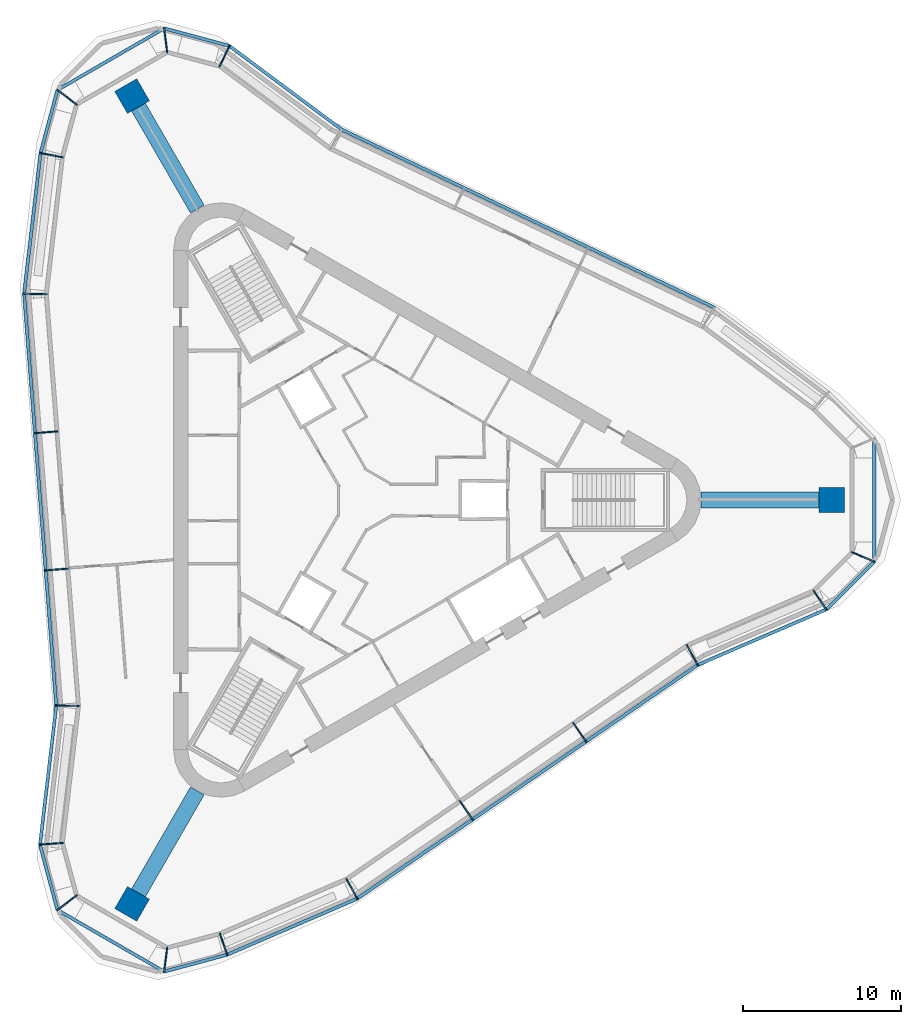
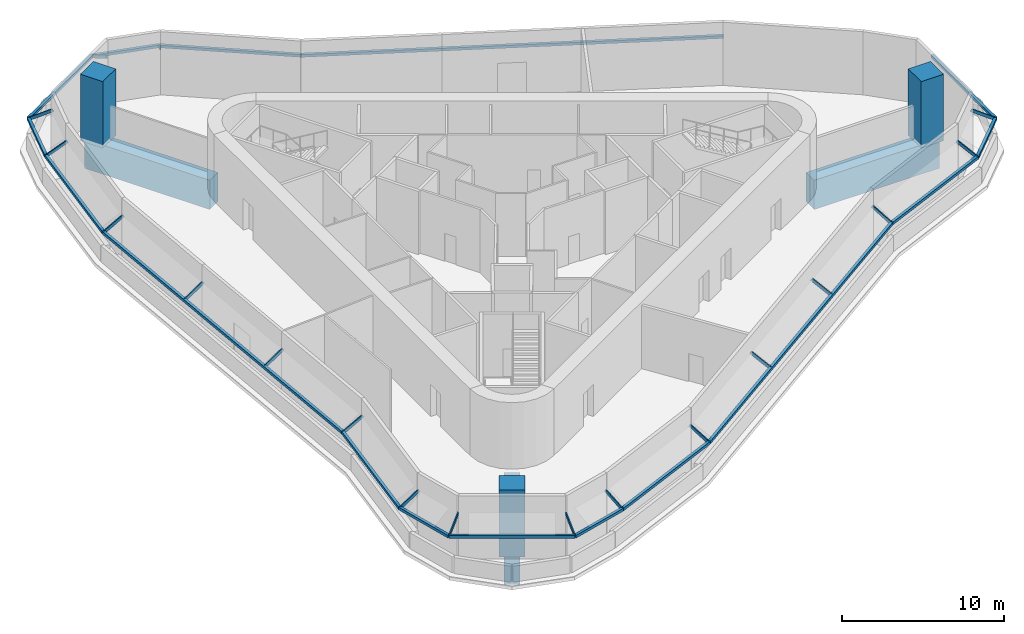
# One storey, part 1 of 8: 34 members, 3 beams, 3 columns, 1 element without a shape of its own.
"""IFC4 building model written with IfcOpenShell, lengths in metres."""

from ifc_helpers import new_model, si_unit, direction, frame, origin, origin_2d, place, context, subcontext, project, spatial, rectangle, extrude, material, material_profile, profile_set, type_object, element, aggregate, save


model = new_model("IFC4")

# Units and contexts
model_context = context("Model", 3, precision=1e-05, world=origin(), true_north=direction((0.0, 1.0)))
body_context = subcontext(model_context, "Body", "Model", "MODEL_VIEW")
ifc_project = project(units=[si_unit("LENGTHUNIT", "METRE"), si_unit("AREAUNIT", "SQUARE_METRE"), si_unit("VOLUMEUNIT", "CUBIC_METRE"), si_unit("PLANEANGLEUNIT", "RADIAN"), si_unit("MASSUNIT", "GRAM", prefix="KILO")], contexts=[model_context])

# Site, building, storey
site_placement = place(None, origin())
site = spatial("IfcSite", under=ifc_project, at=site_placement, CompositionType="ELEMENT")
building_placement = place(site_placement, origin())
building = spatial("IfcBuilding", under=site, at=building_placement, Name="Tanit Gate Tower", CompositionType="ELEMENT")
storey_placement = place(building_placement, frame((0.0, 0.0, 410.300048828125)))
storey = spatial("IfcBuildingStorey", under=building, at=storey_placement, Name="L93", CompositionType="ELEMENT", Elevation=410.300048828125)

# Columns
ifc_material_1 = material(Name="Concrete C40/50", Category="concrete")
ifc_material_profile_1 = material_profile(ifc_material_1, rectangle(XDim=1.60009765625, YDim=1.60009765625, at=origin_2d()), Name="RC 1600x1600")
ifc_profile_set_1 = profile_set([ifc_material_profile_1], Name="Concrete C40/50")
column_type = type_object("IfcColumnType", Name="MEGA COLUMN 1600x1600 C40/50", PredefinedType="COLUMN", material=ifc_profile_set_1)
for number, where, z_axis, x_axis, name in (
    (1, (29.43603515625, 0.0, -0.25), (0.0, 0.0, 1.0), (1.0, 0.0, 0.0), "MEGA COLUMN"),
    (2, (-14.718017578125, 25.492431640625, -0.25), (0.0, 0.0, 1.0), (-0.5, 0.866025403784, 0.0), "MEGA COLUMN"),
    (3, (-14.718017578125, -25.492431640625, -0.25), (0.0, 0.0, 1.0), (-0.5, -0.866025403784, 0.0), "MEGA COLUMN"),
):
    element("IfcColumn", number, at=place(storey_placement, frame(where, z_axis=z_axis, x_axis=x_axis)), inside=storey, type_object=column_type, Name=name, PredefinedType="COLUMN", context=body_context, shape_type="SweptSolid", body=[
        extrude(rectangle(XDim=1.60009765625, YDim=1.60009765625, at=origin_2d()), origin(), (0.0, 0.0, 1.0), 5.0),
    ])

# Curtain wall, members
ifc_material_2 = material(Name="Aluminium bronze anodised and glass", Category="aluminium")
curtain_wall_type = type_object("IfcCurtainWallType", Name="Curtain wall crown roof", PredefinedType="NOTDEFINED", material=ifc_material_2)
curtain_wall_placement = place(storey_placement, origin())
curtain_wall = element("IfcCurtainWall", 4, at=curtain_wall_placement, inside=storey, type_object=curtain_wall_type, Name="Glass roof L93", PredefinedType="NOTDEFINED")
ifc_material_3 = material(Name="Aluminium bronze anodised", Category="aluminium")
ifc_material_profile_2 = material_profile(ifc_material_3, rectangle(XDim=0.080078125, YDim=0.219970703125, at=origin_2d()), Name="80x220 bronze rafter")
ifc_profile_set_2 = profile_set([ifc_material_profile_2], Name="Aluminium bronze anodised")
member_type_1 = type_object("IfcMemberType", Name="Mullion 80x220 crown roof", PredefinedType="MULLION", material=ifc_profile_set_2)
member_1_placement = place(storey_placement, frame((-9.189453125, 27.374267578125, 3.408203125), z_axis=(0.379155528934, 0.78289285051, -0.493274639018), x_axis=(-0.900007569344, 0.435874265268, 0.0)))
member_1 = element("IfcMember", 5, at=member_1_placement, type_object=member_type_1, Name="Roof rafter L93 NE3.2", PredefinedType="MULLION", context=body_context, shape_type="SweptSolid", body=[
    extrude(rectangle(XDim=0.080078125, YDim=0.219970703125, at=origin_2d()), origin(), (0.0, 0.0, 1.0), 1.638671875),
])
member_2_placement = place(storey_placement, frame((-12.502197265625, 28.261962890625, 3.408203125), z_axis=(-0.115139393056, 0.874775092427, -0.470650037541), x_axis=(-0.991448811127, -0.13049618736, 0.0)))
member_2 = element("IfcMember", 6, at=member_2_placement, type_object=member_type_1, Name="Roof rafter L93 NW.arc1.2", PredefinedType="MULLION", context=body_context, shape_type="SweptSolid", body=[
    extrude(rectangle(XDim=0.080078125, YDim=0.219970703125, at=origin_2d()), origin(), (0.0, 0.0, 1.0), 1.717529296875),
])
member_3_placement = place(storey_placement, frame((-18.224365234375, 24.9580078125, 3.408203125), z_axis=(-0.700014767331, 0.537128082384, -0.470608912616), x_axis=(-0.60875276862, -0.793359985566, 0.0)))
member_3 = element("IfcMember", 7, at=member_3_placement, type_object=member_type_1, Name="Roof rafter L93 NW.arc2.2", PredefinedType="MULLION", context=body_context, shape_type="SweptSolid", body=[
    extrude(rectangle(XDim=0.080078125, YDim=0.219970703125, at=origin_2d()), origin(), (0.0, 0.0, 1.0), 1.7177734375),
])
member_4_placement = place(storey_placement, frame((-19.11572265625, 21.631591796875, 3.408203125), z_axis=(-0.851124919905, 0.162930058158, -0.499039243812), x_axis=(-0.188015155556, -0.98216612713, 0.0)))
member_4 = element("IfcMember", 8, at=member_4_placement, type_object=member_type_1, Name="Roof rafter L93 NW.arc3.2", PredefinedType="MULLION", context=body_context, shape_type="SweptSolid", body=[
    extrude(rectangle(XDim=0.080078125, YDim=0.219970703125, at=origin_2d()), origin(), (0.0, 0.0, 1.0), 1.619873046875),
])
member_5_placement = place(storey_placement, frame((-20.1279296875, 12.990234375, 3.408203125), z_axis=(-0.866850363127, 0.016704928873, -0.498288463943), x_axis=(-0.019267256073, -0.999814369192, 0.0)))
member_5 = element("IfcMember", 9, at=member_5_placement, type_object=member_type_1, Name="Roof rafter L93 W1.2", PredefinedType="MULLION", context=body_context, shape_type="SweptSolid", body=[
    extrude(rectangle(XDim=0.080078125, YDim=0.219970703125, at=origin_2d()), origin(), (0.0, 0.0, 1.0), 1.622314453125),
])
member_6_placement = place(storey_placement, frame((-19.45166015625, 4.32861328125, 3.408203125), z_axis=(-0.863376327711, -0.0675055481, -0.500024317133), x_axis=(0.077949956455, -0.996957273051, 0.0)))
member_6 = element("IfcMember", 10, at=member_6_placement, type_object=member_type_1, Name="Roof rafter L93 W2.2", PredefinedType="MULLION", context=body_context, shape_type="SweptSolid", body=[
    extrude(rectangle(XDim=0.080078125, YDim=0.219970703125, at=origin_2d()), origin(), (0.0, 0.0, 1.0), 1.61669921875),
])
member_7_placement = place(storey_placement, frame((-18.775390625, -4.333251953125, 3.408203125), z_axis=(-0.863385119801, -0.067355214873, -0.500029409071), x_axis=(0.077776627829, -0.996970810086, 0.0)))
member_7 = element("IfcMember", 11, at=member_7_placement, type_object=member_type_1, Name="Roof rafter L93 W2.3", PredefinedType="MULLION", context=body_context, shape_type="SweptSolid", body=[
    extrude(rectangle(XDim=0.080078125, YDim=0.219970703125, at=origin_2d()), origin(), (0.0, 0.0, 1.0), 1.61669921875),
])
member_8_placement = place(storey_placement, frame((-18.09912109375, -12.994873046875, 3.408203125), z_axis=(-0.866850363127, 0.016704928873, -0.498288463943), x_axis=(-0.019267256073, -0.999814369192, 0.0)))
member_8 = element("IfcMember", 12, at=member_8_placement, type_object=member_type_1, Name="Roof rafter L93 W2.4", PredefinedType="MULLION", context=body_context, shape_type="SweptSolid", body=[
    extrude(rectangle(XDim=0.080078125, YDim=0.219970703125, at=origin_2d()), origin(), (0.0, 0.0, 1.0), 1.622314453125),
])
member_9_placement = place(storey_placement, frame((-19.112060546875, -21.645263671875, 3.408203125), z_axis=(-0.867561420463, -0.063171224846, -0.493301711), x_axis=(0.072622433472, -0.997359504971, 0.0)))
member_9 = element("IfcMember", 13, at=member_9_placement, type_object=member_type_1, Name="Roof rafter L93 W3.2", PredefinedType="MULLION", context=body_context, shape_type="SweptSolid", body=[
    extrude(rectangle(XDim=0.080078125, YDim=0.219970703125, at=origin_2d()), origin(), (0.0, 0.0, 1.0), 1.638671875),
])
member_10_placement = place(storey_placement, frame((-18.224365234375, -24.9580078125, 3.408203125), z_axis=(-0.700014767331, -0.537128082384, -0.470608912616), x_axis=(0.60875276862, -0.793359985566, 0.0)))
member_10 = element("IfcMember", 14, at=member_10_placement, type_object=member_type_1, Name="Roof rafter L93 SW.arc1.2", PredefinedType="MULLION", context=body_context, shape_type="SweptSolid", body=[
    extrude(rectangle(XDim=0.080078125, YDim=0.219970703125, at=origin_2d()), origin(), (0.0, 0.0, 1.0), 1.7177734375),
])
member_11_placement = place(storey_placement, frame((-12.502197265625, -28.261962890625, 3.408203125), z_axis=(-0.115139393056, -0.874775092427, -0.470650037541), x_axis=(0.991448811127, -0.13049618736, 0.0)))
member_11 = element("IfcMember", 15, at=member_11_placement, type_object=member_type_1, Name="Roof rafter L93 SW.arc2.2", PredefinedType="MULLION", context=body_context, shape_type="SweptSolid", body=[
    extrude(rectangle(XDim=0.080078125, YDim=0.219970703125, at=origin_2d()), origin(), (0.0, 0.0, 1.0), 1.717529296875),
])
member_12_placement = place(storey_placement, frame((-9.175537109375, -27.37060546875, 3.408203125), z_axis=(0.284413741675, -0.8185750032, -0.499042871588), x_axis=(0.94460702546, 0.328203545764, 0.0)))
member_12 = element("IfcMember", 16, at=member_12_placement, type_object=member_type_1, Name="Roof rafter L93 SW.arc3.2", PredefinedType="MULLION", context=body_context, shape_type="SweptSolid", body=[
    extrude(rectangle(XDim=0.080078125, YDim=0.219970703125, at=origin_2d()), origin(), (0.0, 0.0, 1.0), 1.619873046875),
])
member_13_placement = place(storey_placement, frame((-1.18603515625, -23.92626953125, 3.408203125), z_axis=(0.418917146895, -0.759136855634, -0.498216477503), x_axis=(0.87553718172, 0.483150746067, 0.0)))
member_13 = element("IfcMember", 17, at=member_13_placement, type_object=member_type_1, Name="Roof rafter L93 SE1.2", PredefinedType="MULLION", context=body_context, shape_type="SweptSolid", body=[
    extrude(rectangle(XDim=0.080078125, YDim=0.219970703125, at=origin_2d()), origin(), (0.0, 0.0, 1.0), 1.62255859375),
])
member_14_placement = place(storey_placement, frame((5.977294921875, -19.009765625, 3.408203125), z_axis=(0.490056434696, -0.714017511015, -0.500023684216), x_axis=(0.824489423049, 0.56587736417, 0.0)))
member_14 = element("IfcMember", 18, at=member_14_placement, type_object=member_type_1, Name="Roof rafter L93 SE2.2", PredefinedType="MULLION", context=body_context, shape_type="SweptSolid", body=[
    extrude(rectangle(XDim=0.080078125, YDim=0.219970703125, at=origin_2d()), origin(), (0.0, 0.0, 1.0), 1.61669921875),
])
member_15_placement = place(storey_placement, frame((13.140380859375, -14.09326171875, 3.408203125), z_axis=(0.490056434696, -0.714017511015, -0.500023684216), x_axis=(0.824489423049, 0.56587736417, 0.0)))
member_15 = element("IfcMember", 19, at=member_15_placement, type_object=member_type_1, Name="Roof rafter L93 SE2.3", PredefinedType="MULLION", context=body_context, shape_type="SweptSolid", body=[
    extrude(rectangle(XDim=0.080078125, YDim=0.219970703125, at=origin_2d()), origin(), (0.0, 0.0, 1.0), 1.61669921875),
])
member_16_placement = place(storey_placement, frame((20.303466796875, -9.1767578125, 3.408203125), z_axis=(0.418917146895, -0.759136855634, -0.498216477503), x_axis=(0.87553718172, 0.483150746067, 0.0)))
member_16 = element("IfcMember", 20, at=member_16_placement, type_object=member_type_1, Name="Roof rafter L93 SE2.4", PredefinedType="MULLION", context=body_context, shape_type="SweptSolid", body=[
    extrude(rectangle(XDim=0.080078125, YDim=0.219970703125, at=origin_2d()), origin(), (0.0, 0.0, 1.0), 1.62255859375),
])
member_17_placement = place(storey_placement, frame((28.301513671875, -5.72900390625, 3.408203125), z_axis=(0.488402754437, -0.719790636573, -0.49331956069), x_axis=(0.827489985755, 0.561480474706, 0.0)))
member_17 = element("IfcMember", 21, at=member_17_placement, type_object=member_type_1, Name="Roof rafter L93 SE3.2", PredefinedType="MULLION", context=body_context, shape_type="SweptSolid", body=[
    extrude(rectangle(XDim=0.080078125, YDim=0.219970703125, at=origin_2d()), origin(), (0.0, 0.0, 1.0), 1.638671875),
])
member_18_placement = place(storey_placement, frame((30.7265625, -3.3037109375, 3.408203125), z_axis=(0.815103523011, -0.33775479084, -0.470667555754), x_axis=(0.382807118554, 0.923828290314, 0.0)))
member_18 = element("IfcMember", 22, at=member_18_placement, type_object=member_type_1, Name="Roof rafter L93 E.arc1.2", PredefinedType="MULLION", context=body_context, shape_type="SweptSolid", body=[
    extrude(rectangle(XDim=0.080078125, YDim=0.219970703125, at=origin_2d()), origin(), (0.0, 0.0, 1.0), 1.717529296875),
])

# Beams
ifc_material_4 = material(Name="Concrete C60/75", Category="concrete")
ifc_material_profile_3 = material_profile(ifc_material_4, rectangle(XDim=1.0, YDim=2.199951171875, at=origin_2d()), Name="RC 1000x2200")
ifc_profile_set_3 = profile_set([ifc_material_profile_3], Name="Concrete C60/75")
beam_type = type_object("IfcBeamType", Name="TRANSFER GIRDER 1000x2200 C60/75", PredefinedType="USERDEFINED", material=ifc_profile_set_3)
for number, where, z_axis, x_axis, name in (
    (23, (-15.0478515625, -26.063720703125, -1.35009765625), (0.499983042864, 0.86603519377, 0.0), (-0.86603519377, 0.499983042864, 0.0), "TRANSFER GIRDER"),
    (24, (30.095703125, 0.0, -1.35009765625), (-1.0, 0.0, 0.0), (0.0, -1.0, 0.0), "TRANSFER GIRDER"),
    (25, (-15.0478515625, 26.063720703125, -1.35009765625), (0.499983042864, -0.86603519377, 0.0), (0.86603519377, 0.499983042864, 0.0), "TRANSFER GIRDER"),
):
    element("IfcBeam", number, at=place(storey_placement, frame(where, z_axis=z_axis, x_axis=x_axis)), inside=storey, type_object=beam_type, Name=name, ObjectType="GIRDER", PredefinedType="USERDEFINED", context=body_context, shape_type="SweptSolid", body=[
        extrude(rectangle(XDim=1.0, YDim=2.199951171875, at=origin_2d()), origin(), (0.0, 0.0, 1.0), 8.893798828125),
    ])

# Member
ifc_material_5 = material(Name="Aluminium bronze anodised", Category="aluminium")
ifc_material_profile_4 = material_profile(ifc_material_5, rectangle(XDim=0.199951171875, YDim=0.199951171875, at=origin_2d()), Name="200x200 bronze transom")
ifc_profile_set_4 = profile_set([ifc_material_profile_4], Name="Aluminium bronze anodised")
member_type_2 = type_object("IfcMemberType", Name="Transom 200x200 crown roof", PredefinedType="USERDEFINED", material=ifc_profile_set_4)
member_19_placement = place(storey_placement, frame((22.04052734375, 12.140380859375, 2.626953125), z_axis=(-0.902315960767, 0.431075291503, 0.0), x_axis=(-0.431075291503, -0.902315960767, 0.0)))
member_19 = element("IfcMember", 26, at=member_19_placement, type_object=member_type_2, Name="Eave beam L93 NE2", ObjectType="TRANSOM", PredefinedType="USERDEFINED", context=body_context, shape_type="SweptSolid", body=[
    extrude(rectangle(XDim=0.199951171875, YDim=0.199951171875, at=origin_2d()), origin(), (0.0, 0.0, 1.0), 26.064208984375),
])

member_20_placement = place(storey_placement, frame((-1.4775390625, 23.3759765625, 2.626953125), z_axis=(-0.801987099243, 0.597341353539, 0.0), x_axis=(-0.597341353539, -0.801987099243, 0.0)))
member_20 = element("IfcMember", 27, at=member_20_placement, type_object=member_type_2, Name="Eave beam L93 NE3", ObjectType="TRANSOM", PredefinedType="USERDEFINED", context=body_context, shape_type="SweptSolid", body=[
    extrude(rectangle(XDim=0.199951171875, YDim=0.199951171875, at=origin_2d()), origin(), (0.0, 0.0, 1.0), 8.84130859375),
])

member_21_placement = place(storey_placement, frame((-8.568115234375, 28.6572265625, 2.626953125), z_axis=(-0.965922574881, 0.258831179218, 0.0), x_axis=(-0.258831179218, -0.965922574881, 0.0)))
member_21 = element("IfcMember", 28, at=member_21_placement, type_object=member_type_2, Name="Eave beam L93 NW.arc1", ObjectType="TRANSOM", PredefinedType="USERDEFINED", context=body_context, shape_type="SweptSolid", body=[
    extrude(rectangle(XDim=0.199951171875, YDim=0.199951171875, at=origin_2d()), origin(), (0.0, 0.0, 1.0), 4.277587890625),
])

member_22_placement = place(storey_placement, frame((-12.699951171875, 29.764404296875, 2.626953125), z_axis=(-0.866021755812, -0.500006318421, 0.0), x_axis=(0.500006318421, -0.866021755812, 0.0)))
member_22 = element("IfcMember", 29, at=member_22_placement, type_object=member_type_2, Name="Eave beam L93 NW.arc2", ObjectType="TRANSOM", PredefinedType="USERDEFINED", context=body_context, shape_type="SweptSolid", body=[
    extrude(rectangle(XDim=0.199951171875, YDim=0.199951171875, at=origin_2d()), origin(), (0.0, 0.0, 1.0), 7.767578125),
])

member_23_placement = place(storey_placement, frame((-19.4267578125, 25.880615234375, 2.626953125), z_axis=(-0.258778482124, -0.965936694194, 0.0), x_axis=(0.965936694194, -0.258778482124, 0.0)))
member_23 = element("IfcMember", 30, at=member_23_placement, type_object=member_type_2, Name="Eave beam L93 NW.arc3", ObjectType="TRANSOM", PredefinedType="USERDEFINED", context=body_context, shape_type="SweptSolid", body=[
    extrude(rectangle(XDim=0.199951171875, YDim=0.199951171875, at=origin_2d()), origin(), (0.0, 0.0, 1.0), 4.125732421875),
])

member_24_placement = place(storey_placement, frame((-20.494384765625, 21.8955078125, 2.626953125), z_axis=(-0.116323043878, -0.993211432407, 0.0), x_axis=(0.993211432407, -0.116323043878, 0.0)))
member_24 = element("IfcMember", 31, at=member_24_placement, type_object=member_type_2, Name="Eave beam L93 W1", ObjectType="TRANSOM", PredefinedType="USERDEFINED", context=body_context, shape_type="SweptSolid", body=[
    extrude(rectangle(XDim=0.199951171875, YDim=0.199951171875, at=origin_2d()), origin(), (0.0, 0.0, 1.0), 8.93896484375),
])

member_25_placement = place(storey_placement, frame((-21.5341796875, 13.017333984375, 2.626953125), z_axis=(0.077838934774, -0.996965947379, 0.0), x_axis=(0.996965947379, 0.077838934774, 0.0)))
member_25 = element("IfcMember", 32, at=member_25_placement, type_object=member_type_2, Name="Eave beam L93 W2", ObjectType="TRANSOM", PredefinedType="USERDEFINED", context=body_context, shape_type="SweptSolid", body=[
    extrude(rectangle(XDim=0.199951171875, YDim=0.199951171875, at=origin_2d()), origin(), (0.0, 0.0, 1.0), 26.064208984375),
])

member_26_placement = place(storey_placement, frame((-19.50537109375, -12.9677734375, 2.626953125), z_axis=(-0.116312501834, -0.993212667014, 0.0), x_axis=(0.993212667014, -0.116312501834, 0.0)))
member_26 = element("IfcMember", 33, at=member_26_placement, type_object=member_type_2, Name="Eave beam L93 W3", ObjectType="TRANSOM", PredefinedType="USERDEFINED", context=body_context, shape_type="SweptSolid", body=[
    extrude(rectangle(XDim=0.199951171875, YDim=0.199951171875, at=origin_2d()), origin(), (0.0, 0.0, 1.0), 8.841064453125),
])

member_27_placement = place(storey_placement, frame((-20.53369140625, -21.748779296875, 2.626953125), z_axis=(0.258777927508, -0.965936842777, 0.0), x_axis=(0.965936842777, 0.258777927508, 0.0)))
member_27 = element("IfcMember", 34, at=member_27_placement, type_object=member_type_2, Name="Eave beam L93 SW.arc1", ObjectType="TRANSOM", PredefinedType="USERDEFINED", context=body_context, shape_type="SweptSolid", body=[
    extrude(rectangle(XDim=0.199951171875, YDim=0.199951171875, at=origin_2d()), origin(), (0.0, 0.0, 1.0), 4.277587890625),
])

member_28_placement = place(storey_placement, frame((-19.4267578125, -25.880615234375, 2.626953125), z_axis=(0.866021755812, -0.500006318421, 0.0), x_axis=(0.500006318421, 0.866021755812, 0.0)))
member_28 = element("IfcMember", 35, at=member_28_placement, type_object=member_type_2, Name="Eave beam L93 SW.arc2", ObjectType="TRANSOM", PredefinedType="USERDEFINED", context=body_context, shape_type="SweptSolid", body=[
    extrude(rectangle(XDim=0.199951171875, YDim=0.199951171875, at=origin_2d()), origin(), (0.0, 0.0, 1.0), 7.767578125),
])

member_29_placement = place(storey_placement, frame((-12.699951171875, -29.764404296875, 2.626953125), z_axis=(0.965921900889, 0.258833694449, 0.0), x_axis=(-0.258833694449, 0.965921900889, 0.0)))
member_29 = element("IfcMember", 36, at=member_29_placement, type_object=member_type_2, Name="Eave beam L93 SW.arc3", ObjectType="TRANSOM", PredefinedType="USERDEFINED", context=body_context, shape_type="SweptSolid", body=[
    extrude(rectangle(XDim=0.199951171875, YDim=0.199951171875, at=origin_2d()), origin(), (0.0, 0.0, 1.0), 4.125732421875),
])

member_30_placement = place(storey_placement, frame((-8.71484375, -28.696533203125, 2.626953125), z_axis=(0.918306625631, 0.395869854021, 0.0), x_axis=(-0.395869854021, 0.918306625631, 0.0)))
member_30 = element("IfcMember", 37, at=member_30_placement, type_object=member_type_2, Name="Eave beam L93 SE1", ObjectType="TRANSOM", PredefinedType="USERDEFINED", context=body_context, shape_type="SweptSolid", body=[
    extrude(rectangle(XDim=0.199951171875, YDim=0.199951171875, at=origin_2d()), origin(), (0.0, 0.0, 1.0), 8.938720703125),
])

member_31_placement = place(storey_placement, frame((-0.50634765625, -25.157958984375, 2.626953125), z_axis=(0.824480875731, 0.565889817503, 0.0), x_axis=(-0.565889817503, 0.824480875731, 0.0)))
member_31 = element("IfcMember", 38, at=member_31_placement, type_object=member_type_2, Name="Eave beam L93 SE2", ObjectType="TRANSOM", PredefinedType="USERDEFINED", context=body_context, shape_type="SweptSolid", body=[
    extrude(rectangle(XDim=0.199951171875, YDim=0.199951171875, at=origin_2d()), origin(), (0.0, 0.0, 1.0), 26.064208984375),
])

member_32_placement = place(storey_placement, frame((20.983154296875, -10.408447265625, 2.626953125), z_axis=(0.918300201312, 0.3958847563, 0.0), x_axis=(-0.3958847563, 0.918300201312, 0.0)))
member_32 = element("IfcMember", 39, at=member_32_placement, type_object=member_type_2, Name="Eave beam L93 SE3", ObjectType="TRANSOM", PredefinedType="USERDEFINED", context=body_context, shape_type="SweptSolid", body=[
    extrude(rectangle(XDim=0.199951171875, YDim=0.199951171875, at=origin_2d()), origin(), (0.0, 0.0, 1.0), 8.841064453125),
])

member_33_placement = place(storey_placement, frame((29.101806640625, -6.908447265625, 2.626953125), z_axis=(0.707106781187, 0.707106781187, 0.0), x_axis=(-0.707106781187, 0.707106781187, 0.0)))
member_33 = element("IfcMember", 40, at=member_33_placement, type_object=member_type_2, Name="Eave beam L93 E.arc1", ObjectType="TRANSOM", PredefinedType="USERDEFINED", context=body_context, shape_type="SweptSolid", body=[
    extrude(rectangle(XDim=0.199951171875, YDim=0.199951171875, at=origin_2d()), origin(), (0.0, 0.0, 1.0), 4.277587890625),
])

member_34_placement = place(storey_placement, frame((32.12646484375, -3.8837890625, 2.626953125), z_axis=(0.0, 1.0, 0.0), x_axis=(-1.0, 0.0, 0.0)))
member_34 = element("IfcMember", 41, at=member_34_placement, type_object=member_type_2, Name="Eave beam L93 E.arc2", ObjectType="TRANSOM", PredefinedType="USERDEFINED", context=body_context, shape_type="SweptSolid", body=[
    extrude(rectangle(XDim=0.199951171875, YDim=0.199951171875, at=origin_2d()), origin(), (0.0, 0.0, 1.0), 7.767578125),
])

aggregate(curtain_wall, [member_19, member_1, member_20, member_2, member_21, member_3, member_22, member_4, member_23, member_5, member_24, member_6, member_7, member_8, member_25, member_9, member_26, member_10, member_27, member_11, member_28, member_12, member_29, member_13, member_30, member_14, member_15, member_16, member_31, member_17, member_32, member_18, member_33, member_34])

save(model, "model.ifc")
